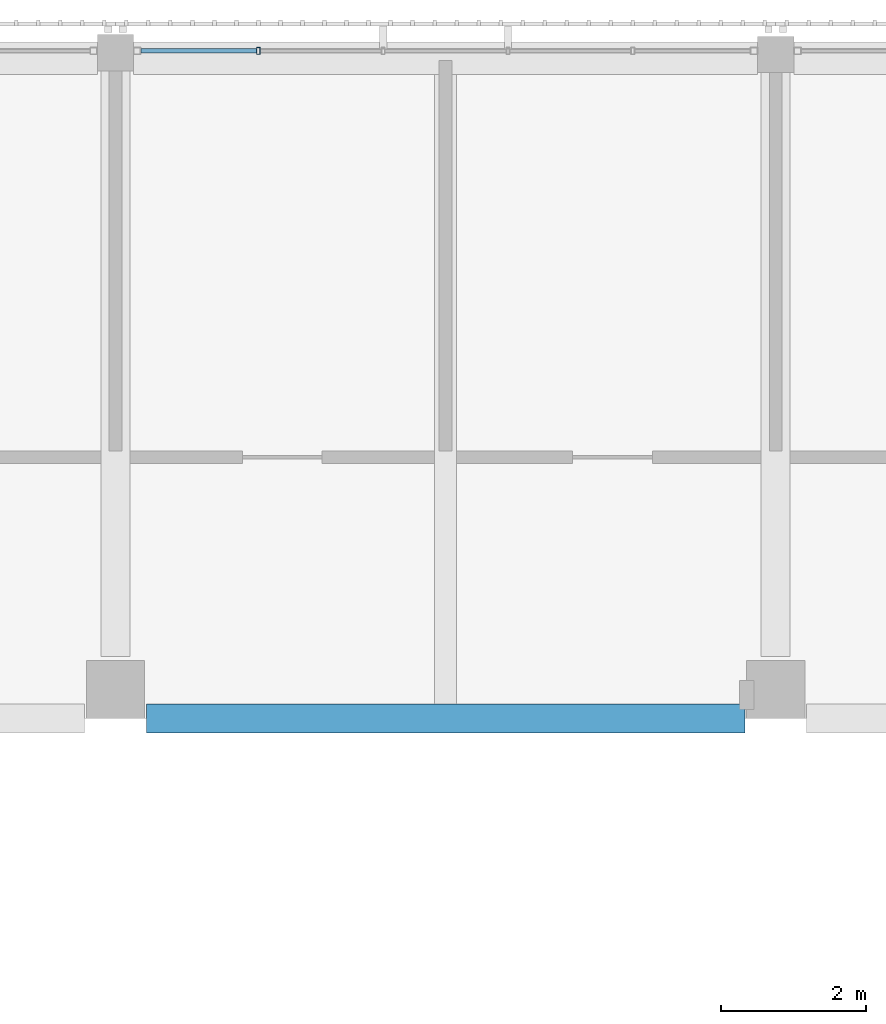
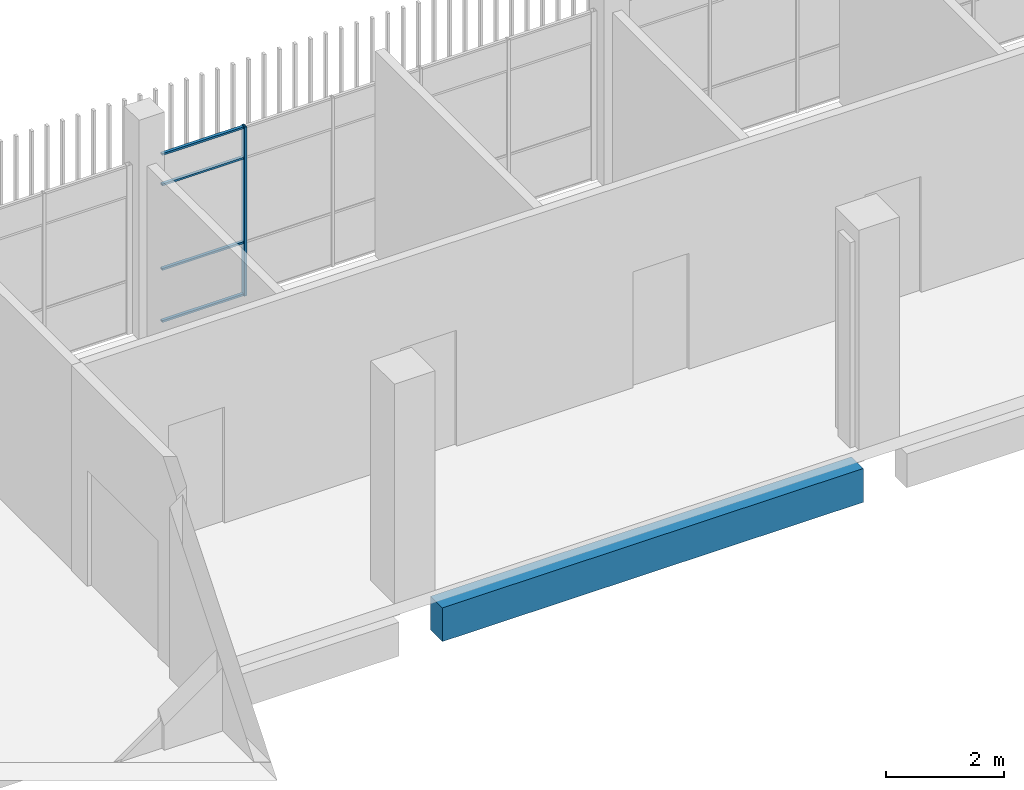
# One storey, part 34 of 124: 5 members, 1 beam, 1 element without a shape of its own.
"""IFC4 building model written with IfcOpenShell, lengths in metres."""

import ifcopenshell
import ifcopenshell.guid

model = None  # the IFC model being written
_history = None  # IfcOwnerHistory: only IFC2X3 demands one
_inside = {}  # id of a spatial element -> (the spatial element, [elements in it])
_under = {}  # id of a project, library or spatial element -> (it, [spatial elements below it])
_declared = {}  # id of a project -> (the project, [libraries it declares])
_typed = {}  # id of a type object -> (the type object, [elements of that type])
_made_of = {}  # id of a material, layer set ... -> (it, [elements and type objects made of it])


def new_model(schema):
    """Start an empty IFC model of exactly this schema.

    Asked for "IFC4X3", IfcOpenShell would pick the latest addendum, in which some entities
    have other attributes; the version numbers below select the first issue.
    IFC2X3 requires an IfcOwnerHistory on every rooted entity: one is made here for all.
    """
    global model, _history
    if schema == "IFC4X3":
        model = ifcopenshell.file(schema_version=(4, 3, 0, 0))
    else:
        model = ifcopenshell.file(schema=schema)
    _inside.clear()
    _under.clear()
    _declared.clear()
    _typed.clear()
    _made_of.clear()
    _history = None
    if model.schema == "IFC2X3":
        org = make("IfcOrganization", Name="unknown")
        user = make(
            "IfcPersonAndOrganization",
            ThePerson=make("IfcPerson", FamilyName="unknown"),
            TheOrganization=org,
        )
        app = make(
            "IfcApplication",
            ApplicationDeveloper=org,
            Version="unknown",
            ApplicationFullName="unknown",
            ApplicationIdentifier="unknown",
        )
        _history = make(
            "IfcOwnerHistory",
            OwningUser=user,
            OwningApplication=app,
            ChangeAction="ADDED",
            CreationDate=0,
        )
    return model


def make(cls, **values):
    """One entity of the class cls with the attributes given. An attribute that is None is left unset."""
    return model.create_entity(
        cls, **{name: value for name, value in values.items() if value is not None}
    )


def rooted(cls, **values):
    """An entity with a GlobalId (a new one), such as an element, a storey or a relation."""
    return make(cls, GlobalId=ifcopenshell.guid.new(), OwnerHistory=_history, **values)


def si_unit(unit_type, name, prefix=None):
    """IfcSIUnit, for example si_unit("LENGTHUNIT", "METRE", prefix="MILLI")."""
    return make("IfcSIUnit", UnitType=unit_type, Prefix=prefix, Name=name)


def assignment(units):
    """IfcUnitAssignment: the units of a project."""
    return None if units is None else make("IfcUnitAssignment", Units=units)


def point(xyz):
    """IfcCartesianPoint."""
    return None if xyz is None else make("IfcCartesianPoint", Coordinates=xyz)


def direction(xyz):
    """IfcDirection."""
    return None if xyz is None else make("IfcDirection", DirectionRatios=xyz)


def frame(location, z_axis=None, x_axis=None):
    """IfcAxis2Placement3D, a coordinate frame: its origin and axes. An axis left out is left unset."""
    return make(
        "IfcAxis2Placement3D",
        Location=point(location),
        Axis=direction(z_axis),
        RefDirection=direction(x_axis),
    )


def frame_2d(location, x_axis=None):
    """IfcAxis2Placement2D, a coordinate frame in the plane: its origin and x axis."""
    return make(
        "IfcAxis2Placement2D", Location=point(location), RefDirection=direction(x_axis)
    )


def origin():
    """The frame at (0, 0, 0) with its axes left unset."""
    return frame((0.0, 0.0, 0.0))


def origin_2d():
    """The frame at (0, 0) in the plane with its x axis left unset."""
    return frame_2d((0.0, 0.0))


def place(relative_to, where):
    """IfcLocalPlacement: puts the frame where relative to a parent placement (None: the world)."""
    return make(
        "IfcLocalPlacement", PlacementRelTo=relative_to, RelativePlacement=where
    )


def context(
    kind, dimensions, precision=None, world=None, true_north=None, identifier=None
):
    """IfcGeometricRepresentationContext, for example the 3D "Model" context."""
    return make(
        "IfcGeometricRepresentationContext",
        ContextIdentifier=identifier,
        ContextType=kind,
        CoordinateSpaceDimension=dimensions,
        Precision=precision,
        WorldCoordinateSystem=world,
        TrueNorth=true_north,
    )


def subcontext(parent, identifier, kind, view, scale=None):
    """IfcGeometricRepresentationSubContext, for example "Body" below "Model"."""
    return make(
        "IfcGeometricRepresentationSubContext",
        ContextIdentifier=identifier,
        ContextType=kind,
        ParentContext=parent,
        TargetScale=scale,
        TargetView=view,
    )


def project(units=None, contexts=None):
    """IfcProject with its units and contexts."""
    return rooted(
        "IfcProject",
        Name="project",
        RepresentationContexts=contexts,
        UnitsInContext=assignment(units),
    )


def spatial(cls, under=None, at=None, **own):
    """A site, building, storey or space (cls), placed at a placement, below another one or the project."""
    s = rooted(cls, ObjectPlacement=at, **own)
    if under is not None:
        _under.setdefault(under.id(), (under, []))[1].append(s)
    return s


def profile(cls, at=None, kind="AREA", **sizes):
    """A parametric profile (cls). Its sizes go by their IFC names, for example OverallWidth=200.0."""
    return make(cls, ProfileType=kind, Position=at, **sizes)


def rectangle(**sizes):
    """IfcRectangleProfileDef."""
    return profile("IfcRectangleProfileDef", **sizes)


def hollow_rectangle(**sizes):
    """IfcRectangleHollowProfileDef."""
    return profile("IfcRectangleHollowProfileDef", **sizes)


def extrude(swept, where, along, depth):
    """IfcExtrudedAreaSolid: the profile swept, set in the frame where, extruded along a direction by depth."""
    return make(
        "IfcExtrudedAreaSolid",
        SweptArea=swept,
        Position=where,
        ExtrudedDirection=direction(along),
        Depth=depth,
    )


def shape(context_of_items, identifier, shape_type, items):
    """IfcShapeRepresentation: the items that make up one representation, for example the "Body"."""
    return make(
        "IfcShapeRepresentation",
        ContextOfItems=context_of_items,
        RepresentationIdentifier=identifier,
        RepresentationType=shape_type,
        Items=items,
    )


def material(Name=None, Category=None):
    """IfcMaterial."""
    return make("IfcMaterial", Name=Name, Category=Category)


def layer(
    of_material, thickness, ventilated=None, Name=None, Category=None, Priority=None
):
    """IfcMaterialLayer: one layer of a wall or slab, of a material (None: an air gap)."""
    return make(
        "IfcMaterialLayer",
        Material=of_material,
        LayerThickness=thickness,
        IsVentilated=ventilated,
        Name=Name,
        Category=Category,
        Priority=Priority,
    )


def layer_set(layers, Name=None):
    """IfcMaterialLayerSet."""
    return make("IfcMaterialLayerSet", MaterialLayers=layers, LayerSetName=Name)


def material_profile(
    of_material, cross_section, Name=None, Category=None, Priority=None
):
    """IfcMaterialProfile: a cross section and its material."""
    return make(
        "IfcMaterialProfile",
        Name=Name,
        Material=of_material,
        Profile=cross_section,
        Priority=Priority,
        Category=Category,
    )


def profile_set(profiles, Name=None, composite=None):
    """IfcMaterialProfileSet."""
    return make(
        "IfcMaterialProfileSet",
        Name=Name,
        MaterialProfiles=profiles,
        CompositeProfile=composite,
    )


def made_of(thing, what):
    """Note that an element or type object is made of a material, layer set ...; save() writes the relation."""
    if what is not None:
        _made_of.setdefault(what.id(), (what, []))[1].append(thing)
    return thing


def type_object(cls, material=None, **own):
    """A type object (cls), such as IfcWallType, which elements share."""
    return made_of(rooted(cls, **own), material)


def element(
    cls,
    number,
    at=None,
    inside=None,
    cuts=None,
    type_object=None,
    material=None,
    context=None,
    identifier="Body",
    shape_type=None,
    held_by="IfcProductDefinitionShape",
    body=None,
    shapes=None,
    **own,
):
    """One element of the class cls, such as IfcWall. Its Tag is "e" and its number.

    at: its placement. inside: the storey or other place that contains it. cuts: it is an
    opening in that element (IfcRelVoidsElement). A single representation is given by context,
    identifier, shape_type and body (its items); several are given by shapes. held_by: the class
    of the entity that holds the representations. save() writes the other relations.
    """
    e = rooted(cls, Tag="e%d" % number, ObjectPlacement=at, **own)
    if body is not None:
        shapes = [shape(context, identifier, shape_type, body)]
    if shapes is not None:
        e.Representation = make(held_by, Representations=shapes)
    if inside is not None:
        _inside.setdefault(inside.id(), (inside, []))[1].append(e)
    if cuts is not None:
        rooted(
            "IfcRelVoidsElement", RelatingBuildingElement=cuts, RelatedOpeningElement=e
        )
    if type_object is not None:
        _typed.setdefault(type_object.id(), (type_object, []))[1].append(e)
    return made_of(e, material)


def aggregate(whole, parts):
    """IfcRelAggregates: a whole, such as a stair, and the parts it consists of."""
    return rooted("IfcRelAggregates", RelatingObject=whole, RelatedObjects=parts)


def save(model, path):
    """Write the relations noted so far, then the file.

    IfcRelAggregates (storeys below a building ...), IfcRelContainedInSpatialStructure (elements
    in a storey), IfcRelDefinesByType, IfcRelAssociatesMaterial and IfcRelDeclares: one each for
    every whole, place, type object, material and project.
    """
    for whole, parts in _under.values():
        aggregate(whole, parts)
    for where, things in _inside.values():
        rooted(
            "IfcRelContainedInSpatialStructure",
            RelatedElements=things,
            RelatingStructure=where,
        )
    for kind, things in _typed.values():
        rooted("IfcRelDefinesByType", RelatedObjects=things, RelatingType=kind)
    for what, things in _made_of.values():
        rooted("IfcRelAssociatesMaterial", RelatedObjects=things, RelatingMaterial=what)
    for by, libraries in _declared.values():
        rooted("IfcRelDeclares", RelatingContext=by, RelatedDefinitions=libraries)
    model.write(path)


model = new_model("IFC4")

# Units and contexts
model_context = context("Model", 3, precision=1e-05, world=origin(), true_north=direction((0.0, 1.0)))
body_context = subcontext(model_context, "Body", "Model", "MODEL_VIEW")
ifc_project = project(units=[si_unit("LENGTHUNIT", "METRE"), si_unit("AREAUNIT", "SQUARE_METRE"), si_unit("VOLUMEUNIT", "CUBIC_METRE"), si_unit("PLANEANGLEUNIT", "RADIAN"), si_unit("MASSUNIT", "GRAM", prefix="KILO")], contexts=[model_context])

# Site, building, storey
site_placement = place(None, origin())
site = spatial("IfcSite", under=ifc_project, at=site_placement, CompositionType="ELEMENT")
building_placement = place(site_placement, origin())
building = spatial("IfcBuilding", under=site, at=building_placement, Name="Shirokan Park Arena", CompositionType="ELEMENT")
storey_placement = place(building_placement, frame((0.0, 0.0, 20.02001953125)))
storey = spatial("IfcBuildingStorey", under=building, at=storey_placement, Name="L04", CompositionType="ELEMENT", Elevation=20.02001953125)

# Curtain wall, member
ifc_material_1 = material(Name="Steel and glass curtain wall", Category="steel")
ifc_layer = layer(ifc_material_1, 0.10009765625)
ifc_layer_set = layer_set([ifc_layer], Name="Steel and glass curtain wall 100 mm")
curtain_wall_type = type_object("IfcCurtainWallType", Name="Curtain wall sheltered bay 100", PredefinedType="NOTDEFINED", material=ifc_layer_set)
curtain_wall_placement = place(storey_placement, origin())
curtain_wall = element("IfcCurtainWall", 1, at=curtain_wall_placement, inside=storey, type_object=curtain_wall_type, Name="Curtain wall north bay 11 L04", PredefinedType="NOTDEFINED")
ifc_material_2 = material(Name="Steel S355", Category="steel")
ifc_material_profile_1 = material_profile(ifc_material_2, hollow_rectangle(XDim=0.10009765625, YDim=0.050048828125, WallThickness=0.0048828125, at=origin_2d()), Name="RHS 100x50x5")
ifc_profile_set_1 = profile_set([ifc_material_profile_1], Name="Steel S355")
member_type_1 = type_object("IfcMemberType", Name="Mullion RHS 100x50x5", PredefinedType="MULLION", material=ifc_profile_set_1)
member_1_placement = place(storey_placement, frame((47.469970703125, 109.300048828125, 0.0), z_axis=(0.0, 0.0, 1.0), x_axis=(0.0, -1.0, 0.0)))
member_1 = element("IfcMember", 2, at=member_1_placement, type_object=member_type_1, Name="CW2 mullion 5", PredefinedType="MULLION", context=body_context, shape_type="SweptSolid", body=[
    extrude(hollow_rectangle(XDim=0.10009765625, YDim=0.050048828125, WallThickness=0.0048828125, at=origin_2d()), origin(), (0.0, 0.0, 1.0), 3.5),
])

# Beam
ifc_material_3 = material(Name="Concrete C35", Category="concrete")
ifc_material_profile_2 = material_profile(ifc_material_3, rectangle(XDim=0.39990234375, YDim=0.699951171875, at=origin_2d()), Name="400x700")
ifc_profile_set_2 = profile_set([ifc_material_profile_2], Name="Concrete C35")
beam_type = type_object("IfcBeamType", Name="RC girder 400x700", PredefinedType="BEAM", material=ifc_profile_set_2)
beam_placement = place(storey_placement, frame((45.925048828125, 100.10009765625, -0.60009765625), z_axis=(1.0, 0.0, 0.0), x_axis=(0.0, 1.0, 0.0)))
element("IfcBeam", 3, at=beam_placement, inside=storey, type_object=beam_type, Name="Girder 6M-7M L04", PredefinedType="BEAM", context=body_context, shape_type="SweptSolid", body=[
    extrude(rectangle(XDim=0.39990234375, YDim=0.699951171875, at=origin_2d()), origin(), (0.0, 0.0, 1.0), 8.249755859375),
])

# Member
ifc_material_profile_3 = material_profile(ifc_material_2, hollow_rectangle(XDim=0.06005859375, YDim=0.0400390625, WallThickness=0.00390625, at=origin_2d()), Name="RHS 60x40x4")
ifc_profile_set_3 = profile_set([ifc_material_profile_3], Name="Steel S355")
member_type_2 = type_object("IfcMemberType", Name="Transom RHS 60x40x4", PredefinedType="MULLION", material=ifc_profile_set_3)
member_2_placement = place(storey_placement, frame((47.445068359375, 109.300048828125, 0.02001953125), z_axis=(-1.0, 0.0, 0.0), x_axis=(0.0, -1.0, 0.0)))
member_2 = element("IfcMember", 4, at=member_2_placement, type_object=member_type_2, Name="CW2 transom 5.1", PredefinedType="MULLION", context=body_context, shape_type="SweptSolid", body=[
    extrude(hollow_rectangle(XDim=0.06005859375, YDim=0.0400390625, WallThickness=0.00390625, at=origin_2d()), origin(), (0.0, 0.0, 1.0), 1.594970703125),
])

member_3_placement = place(storey_placement, frame((47.445068359375, 109.300048828125, 1.10009765625), z_axis=(-1.0, 0.0, 0.0), x_axis=(0.0, -1.0, 0.0)))
member_3 = element("IfcMember", 5, at=member_3_placement, type_object=member_type_2, Name="CW2 transom 5.2", PredefinedType="MULLION", context=body_context, shape_type="SweptSolid", body=[
    extrude(hollow_rectangle(XDim=0.06005859375, YDim=0.0400390625, WallThickness=0.00390625, at=origin_2d()), origin(), (0.0, 0.0, 1.0), 1.594970703125),
])

member_4_placement = place(storey_placement, frame((47.445068359375, 109.300048828125, 2.85009765625), z_axis=(-1.0, 0.0, 0.0), x_axis=(0.0, -1.0, 0.0)))
member_4 = element("IfcMember", 6, at=member_4_placement, type_object=member_type_2, Name="CW2 transom 5.3", PredefinedType="MULLION", context=body_context, shape_type="SweptSolid", body=[
    extrude(hollow_rectangle(XDim=0.06005859375, YDim=0.0400390625, WallThickness=0.00390625, at=origin_2d()), origin(), (0.0, 0.0, 1.0), 1.594970703125),
])

member_5_placement = place(storey_placement, frame((47.445068359375, 109.300048828125, 3.47998046875), z_axis=(-1.0, 0.0, 0.0), x_axis=(0.0, -1.0, 0.0)))
member_5 = element("IfcMember", 7, at=member_5_placement, type_object=member_type_2, Name="CW2 transom 5.4", PredefinedType="MULLION", context=body_context, shape_type="SweptSolid", body=[
    extrude(hollow_rectangle(XDim=0.06005859375, YDim=0.0400390625, WallThickness=0.00390625, at=origin_2d()), origin(), (0.0, 0.0, 1.0), 1.594970703125),
])

aggregate(curtain_wall, [member_1, member_2, member_3, member_4, member_5])

save(model, "model.ifc")
